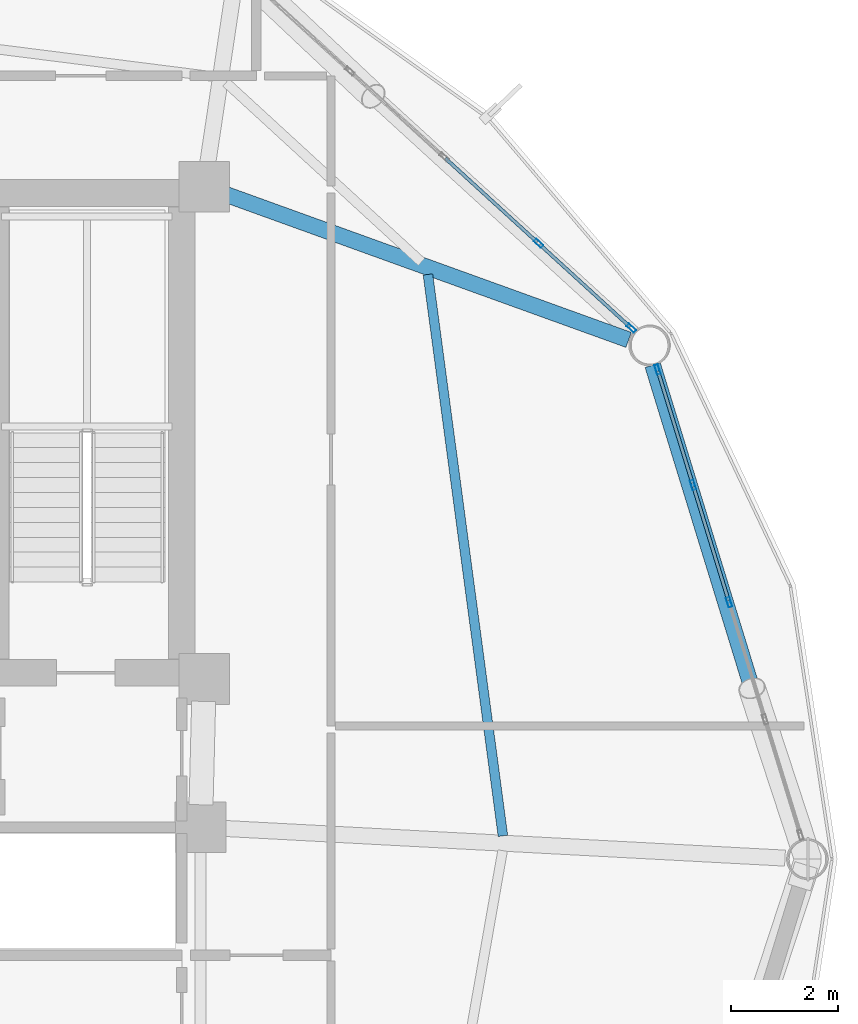
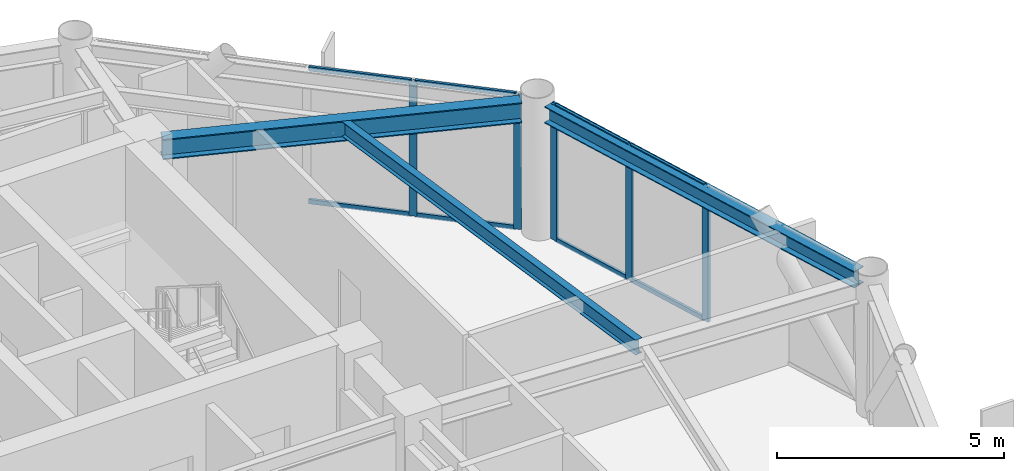
# One storey, part 14 of 25: 13 members, 3 beams, 2 elements without a shape of their own.
"""IFC4 building model written with IfcOpenShell, lengths in metres."""

import ifcopenshell
import ifcopenshell.guid

model = None  # the IFC model being written
_history = None  # IfcOwnerHistory: only IFC2X3 demands one
_inside = {}  # id of a spatial element -> (the spatial element, [elements in it])
_under = {}  # id of a project, library or spatial element -> (it, [spatial elements below it])
_declared = {}  # id of a project -> (the project, [libraries it declares])
_typed = {}  # id of a type object -> (the type object, [elements of that type])
_made_of = {}  # id of a material, layer set ... -> (it, [elements and type objects made of it])


def new_model(schema):
    """Start an empty IFC model of exactly this schema.

    Asked for "IFC4X3", IfcOpenShell would pick the latest addendum, in which some entities
    have other attributes; the version numbers below select the first issue.
    IFC2X3 requires an IfcOwnerHistory on every rooted entity: one is made here for all.
    """
    global model, _history
    if schema == "IFC4X3":
        model = ifcopenshell.file(schema_version=(4, 3, 0, 0))
    else:
        model = ifcopenshell.file(schema=schema)
    _inside.clear()
    _under.clear()
    _declared.clear()
    _typed.clear()
    _made_of.clear()
    _history = None
    if model.schema == "IFC2X3":
        org = make("IfcOrganization", Name="unknown")
        user = make(
            "IfcPersonAndOrganization",
            ThePerson=make("IfcPerson", FamilyName="unknown"),
            TheOrganization=org,
        )
        app = make(
            "IfcApplication",
            ApplicationDeveloper=org,
            Version="unknown",
            ApplicationFullName="unknown",
            ApplicationIdentifier="unknown",
        )
        _history = make(
            "IfcOwnerHistory",
            OwningUser=user,
            OwningApplication=app,
            ChangeAction="ADDED",
            CreationDate=0,
        )
    return model


def make(cls, **values):
    """One entity of the class cls with the attributes given. An attribute that is None is left unset."""
    return model.create_entity(
        cls, **{name: value for name, value in values.items() if value is not None}
    )


def rooted(cls, **values):
    """An entity with a GlobalId (a new one), such as an element, a storey or a relation."""
    return make(cls, GlobalId=ifcopenshell.guid.new(), OwnerHistory=_history, **values)


def si_unit(unit_type, name, prefix=None):
    """IfcSIUnit, for example si_unit("LENGTHUNIT", "METRE", prefix="MILLI")."""
    return make("IfcSIUnit", UnitType=unit_type, Prefix=prefix, Name=name)


def assignment(units):
    """IfcUnitAssignment: the units of a project."""
    return None if units is None else make("IfcUnitAssignment", Units=units)


def point(xyz):
    """IfcCartesianPoint."""
    return None if xyz is None else make("IfcCartesianPoint", Coordinates=xyz)


def direction(xyz):
    """IfcDirection."""
    return None if xyz is None else make("IfcDirection", DirectionRatios=xyz)


def frame(location, z_axis=None, x_axis=None):
    """IfcAxis2Placement3D, a coordinate frame: its origin and axes. An axis left out is left unset."""
    return make(
        "IfcAxis2Placement3D",
        Location=point(location),
        Axis=direction(z_axis),
        RefDirection=direction(x_axis),
    )


def frame_2d(location, x_axis=None):
    """IfcAxis2Placement2D, a coordinate frame in the plane: its origin and x axis."""
    return make(
        "IfcAxis2Placement2D", Location=point(location), RefDirection=direction(x_axis)
    )


def origin():
    """The frame at (0, 0, 0) with its axes left unset."""
    return frame((0.0, 0.0, 0.0))


def origin_2d():
    """The frame at (0, 0) in the plane with its x axis left unset."""
    return frame_2d((0.0, 0.0))


def place(relative_to, where):
    """IfcLocalPlacement: puts the frame where relative to a parent placement (None: the world)."""
    return make(
        "IfcLocalPlacement", PlacementRelTo=relative_to, RelativePlacement=where
    )


def context(
    kind, dimensions, precision=None, world=None, true_north=None, identifier=None
):
    """IfcGeometricRepresentationContext, for example the 3D "Model" context."""
    return make(
        "IfcGeometricRepresentationContext",
        ContextIdentifier=identifier,
        ContextType=kind,
        CoordinateSpaceDimension=dimensions,
        Precision=precision,
        WorldCoordinateSystem=world,
        TrueNorth=true_north,
    )


def subcontext(parent, identifier, kind, view, scale=None):
    """IfcGeometricRepresentationSubContext, for example "Body" below "Model"."""
    return make(
        "IfcGeometricRepresentationSubContext",
        ContextIdentifier=identifier,
        ContextType=kind,
        ParentContext=parent,
        TargetScale=scale,
        TargetView=view,
    )


def project(units=None, contexts=None):
    """IfcProject with its units and contexts."""
    return rooted(
        "IfcProject",
        Name="project",
        RepresentationContexts=contexts,
        UnitsInContext=assignment(units),
    )


def spatial(cls, under=None, at=None, **own):
    """A site, building, storey or space (cls), placed at a placement, below another one or the project."""
    s = rooted(cls, ObjectPlacement=at, **own)
    if under is not None:
        _under.setdefault(under.id(), (under, []))[1].append(s)
    return s


def profile(cls, at=None, kind="AREA", **sizes):
    """A parametric profile (cls). Its sizes go by their IFC names, for example OverallWidth=200.0."""
    return make(cls, ProfileType=kind, Position=at, **sizes)


def hollow_rectangle(**sizes):
    """IfcRectangleHollowProfileDef."""
    return profile("IfcRectangleHollowProfileDef", **sizes)


def i_section(**sizes):
    """IfcIShapeProfileDef."""
    return profile("IfcIShapeProfileDef", **sizes)


def extrude(swept, where, along, depth):
    """IfcExtrudedAreaSolid: the profile swept, set in the frame where, extruded along a direction by depth."""
    return make(
        "IfcExtrudedAreaSolid",
        SweptArea=swept,
        Position=where,
        ExtrudedDirection=direction(along),
        Depth=depth,
    )


def shape(context_of_items, identifier, shape_type, items):
    """IfcShapeRepresentation: the items that make up one representation, for example the "Body"."""
    return make(
        "IfcShapeRepresentation",
        ContextOfItems=context_of_items,
        RepresentationIdentifier=identifier,
        RepresentationType=shape_type,
        Items=items,
    )


def material(Name=None, Category=None):
    """IfcMaterial."""
    return make("IfcMaterial", Name=Name, Category=Category)


def layer(
    of_material, thickness, ventilated=None, Name=None, Category=None, Priority=None
):
    """IfcMaterialLayer: one layer of a wall or slab, of a material (None: an air gap)."""
    return make(
        "IfcMaterialLayer",
        Material=of_material,
        LayerThickness=thickness,
        IsVentilated=ventilated,
        Name=Name,
        Category=Category,
        Priority=Priority,
    )


def layer_set(layers, Name=None):
    """IfcMaterialLayerSet."""
    return make("IfcMaterialLayerSet", MaterialLayers=layers, LayerSetName=Name)


def material_profile(
    of_material, cross_section, Name=None, Category=None, Priority=None
):
    """IfcMaterialProfile: a cross section and its material."""
    return make(
        "IfcMaterialProfile",
        Name=Name,
        Material=of_material,
        Profile=cross_section,
        Priority=Priority,
        Category=Category,
    )


def profile_set(profiles, Name=None, composite=None):
    """IfcMaterialProfileSet."""
    return make(
        "IfcMaterialProfileSet",
        Name=Name,
        MaterialProfiles=profiles,
        CompositeProfile=composite,
    )


def made_of(thing, what):
    """Note that an element or type object is made of a material, layer set ...; save() writes the relation."""
    if what is not None:
        _made_of.setdefault(what.id(), (what, []))[1].append(thing)
    return thing


def type_object(cls, material=None, **own):
    """A type object (cls), such as IfcWallType, which elements share."""
    return made_of(rooted(cls, **own), material)


def element(
    cls,
    number,
    at=None,
    inside=None,
    cuts=None,
    type_object=None,
    material=None,
    context=None,
    identifier="Body",
    shape_type=None,
    held_by="IfcProductDefinitionShape",
    body=None,
    shapes=None,
    **own,
):
    """One element of the class cls, such as IfcWall. Its Tag is "e" and its number.

    at: its placement. inside: the storey or other place that contains it. cuts: it is an
    opening in that element (IfcRelVoidsElement). A single representation is given by context,
    identifier, shape_type and body (its items); several are given by shapes. held_by: the class
    of the entity that holds the representations. save() writes the other relations.
    """
    e = rooted(cls, Tag="e%d" % number, ObjectPlacement=at, **own)
    if body is not None:
        shapes = [shape(context, identifier, shape_type, body)]
    if shapes is not None:
        e.Representation = make(held_by, Representations=shapes)
    if inside is not None:
        _inside.setdefault(inside.id(), (inside, []))[1].append(e)
    if cuts is not None:
        rooted(
            "IfcRelVoidsElement", RelatingBuildingElement=cuts, RelatedOpeningElement=e
        )
    if type_object is not None:
        _typed.setdefault(type_object.id(), (type_object, []))[1].append(e)
    return made_of(e, material)


def aggregate(whole, parts):
    """IfcRelAggregates: a whole, such as a stair, and the parts it consists of."""
    return rooted("IfcRelAggregates", RelatingObject=whole, RelatedObjects=parts)


def save(model, path):
    """Write the relations noted so far, then the file.

    IfcRelAggregates (storeys below a building ...), IfcRelContainedInSpatialStructure (elements
    in a storey), IfcRelDefinesByType, IfcRelAssociatesMaterial and IfcRelDeclares: one each for
    every whole, place, type object, material and project.
    """
    for whole, parts in _under.values():
        aggregate(whole, parts)
    for where, things in _inside.values():
        rooted(
            "IfcRelContainedInSpatialStructure",
            RelatedElements=things,
            RelatingStructure=where,
        )
    for kind, things in _typed.values():
        rooted("IfcRelDefinesByType", RelatedObjects=things, RelatingType=kind)
    for what, things in _made_of.values():
        rooted("IfcRelAssociatesMaterial", RelatedObjects=things, RelatingMaterial=what)
    for by, libraries in _declared.values():
        rooted("IfcRelDeclares", RelatingContext=by, RelatedDefinitions=libraries)
    model.write(path)


model = new_model("IFC4")

# Units and contexts
model_context = context("Model", 3, precision=1e-05, world=origin(), true_north=direction((0.0, 1.0)))
body_context = subcontext(model_context, "Body", "Model", "MODEL_VIEW")
ifc_project = project(units=[si_unit("LENGTHUNIT", "METRE"), si_unit("AREAUNIT", "SQUARE_METRE"), si_unit("VOLUMEUNIT", "CUBIC_METRE"), si_unit("PLANEANGLEUNIT", "RADIAN"), si_unit("MASSUNIT", "GRAM", prefix="KILO")], contexts=[model_context])

# Site, building, storey
site_placement = place(None, origin())
site = spatial("IfcSite", under=ifc_project, at=site_placement, CompositionType="ELEMENT")
building_placement = place(site_placement, origin())
building = spatial("IfcBuilding", under=site, at=building_placement, Name="Varnakorn Sky Granary", CompositionType="ELEMENT")
storey_placement = place(building_placement, frame((0.0, 0.0, 122.699951171875)))
storey = spatial("IfcBuildingStorey", under=building, at=storey_placement, Name="L30", CompositionType="ELEMENT", Elevation=122.699951171875)

# Beams
ifc_material_1 = material(Name="Steel S355JR", Category="steel")
ifc_material_profile_1 = material_profile(ifc_material_1, i_section(OverallWidth=0.300048828125, OverallDepth=0.550048828125, WebThickness=0.014892578125, FlangeThickness=0.029052734375, at=origin_2d()), Name="HE 550 B")
ifc_profile_set_1 = profile_set([ifc_material_profile_1], Name="Steel S355JR")
beam_type_1 = type_object("IfcBeamType", Name="BM-RAD-Z3", PredefinedType="BEAM", material=ifc_profile_set_1)
beam_1_placement = place(storey_placement, frame((8.81494140625, 12.477294921875, 3.364990234375), z_axis=(0.940545823037, -0.339666829067, 0.0), x_axis=(0.339666829067, 0.940545823037, 0.0)))
element("IfcBeam", 1, at=beam_1_placement, inside=storey, type_object=beam_type_1, Name="Radial Floor Girder RG02 L30", PredefinedType="BEAM", context=body_context, shape_type="SweptSolid", body=[
    extrude(i_section(OverallWidth=0.300048828125, OverallDepth=0.550048828125, WebThickness=0.014892578125, FlangeThickness=0.029052734375, at=origin_2d()), origin(), (0.0, 0.0, 1.0), 8.04736328125),
])
ifc_material_profile_2 = material_profile(ifc_material_1, i_section(OverallWidth=0.179931640625, OverallDepth=0.39990234375, WebThickness=0.008544921875, FlangeThickness=0.013427734375, at=origin_2d()), Name="IPE 400")
ifc_profile_set_2 = profile_set([ifc_material_profile_2], Name="Steel S355JR")
beam_type_2 = type_object("IfcBeamType", Name="BM-SEC-Z3", PredefinedType="BEAM", material=ifc_profile_set_2)
beam_2_placement = place(storey_placement, frame((14.02490234375, 0.437255859375, 3.43994140625), z_axis=(-0.132384905514, 0.991198384176, 0.0), x_axis=(-0.991198384176, -0.132384905514, 0.0)))
element("IfcBeam", 2, at=beam_2_placement, inside=storey, type_object=beam_type_2, Name="Secondary Floor Chord Beam MSB01 L30", PredefinedType="BEAM", context=body_context, shape_type="SweptSolid", body=[
    extrude(i_section(OverallWidth=0.179931640625, OverallDepth=0.39990234375, WebThickness=0.008544921875, FlangeThickness=0.013427734375, at=origin_2d()), origin(), (0.0, 0.0, 1.0), 10.6279296875),
])
ifc_material_profile_3 = material_profile(ifc_material_1, i_section(OverallWidth=0.300048828125, OverallDepth=0.449951171875, WebThickness=0.013916015625, FlangeThickness=0.02587890625, at=origin_2d()), Name="HE 450 B")
ifc_profile_set_3 = profile_set([ifc_material_profile_3], Name="Steel S355JR")
beam_type_3 = type_object("IfcBeamType", Name="BM-SPD-Z3", PredefinedType="SPANDREL", material=ifc_profile_set_3)
beam_3_placement = place(storey_placement, frame((19.575439453125, 0.349853515625, 3.4150390625), z_axis=(-0.293618811505, 0.955922587624, 0.0), x_axis=(-0.955922587624, -0.293618811505, 0.0)))
element("IfcBeam", 3, at=beam_3_placement, inside=storey, type_object=beam_type_3, Name="Perimeter Spandrel Ring Beam RB01 L30", PredefinedType="SPANDREL", context=body_context, shape_type="SweptSolid", body=[
    extrude(i_section(OverallWidth=0.300048828125, OverallDepth=0.449951171875, WebThickness=0.013916015625, FlangeThickness=0.02587890625, at=origin_2d()), origin(), (0.0, 0.0, 1.0), 9.3310546875),
])

# Curtain wall, members
ifc_material_2 = material(Name="Anodised Bronze Aluminium Alloy 6063-T6", Category="aluminium")
ifc_layer = layer(ifc_material_2, 0.179931640625, Name="Anodised Bronze Aluminium Alloy 6063-T6")
ifc_layer_set = layer_set([ifc_layer], Name="Anodised Bronze Aluminium Alloy 6063-T6")
curtain_wall_type = type_object("IfcCurtainWallType", Name="CW-FRM-2", PredefinedType="USERDEFINED", material=ifc_layer_set)
curtain_wall_1_placement = place(storey_placement, origin())
curtain_wall_1 = element("IfcCurtainWall", 4, at=curtain_wall_1_placement, inside=storey, type_object=curtain_wall_type, Name="Unitised Curtain Wall CW4 CW-L30-B01", ObjectType="CURTAIN WALL", PredefinedType="USERDEFINED")
ifc_material_profile_4 = material_profile(ifc_material_2, hollow_rectangle(XDim=0.070068359375, YDim=0.18505859375, WallThickness=0.00390625, at=origin_2d()), Name="ALU MULL 70x185")
ifc_profile_set_4 = profile_set([ifc_material_profile_4], Name="Anodised Bronze Aluminium Alloy 6063-T6")
member_type_1 = type_object("IfcMemberType", Name="CW-FRM-2-MULL", PredefinedType="MULLION", material=ifc_profile_set_4)
member_1_placement = place(storey_placement, frame((16.926025390625, 9.18798828125, 0.0), z_axis=(0.0, 0.0, 1.0), x_axis=(0.955870322198, 0.293788915961, 0.0)))
member_1 = element("IfcMember", 5, at=member_1_placement, type_object=member_type_1, Name="CW4 mullion 1", PredefinedType="MULLION", context=body_context, shape_type="SweptSolid", body=[
    extrude(hollow_rectangle(XDim=0.070068359375, YDim=0.18505859375, WallThickness=0.00390625, at=origin_2d()), origin(), (0.0, 0.0, 1.0), 3.64013671875),
])
member_2_placement = place(storey_placement, frame((17.591796875, 7.021484375, 0.0), z_axis=(0.0, 0.0, 1.0), x_axis=(0.955870322198, 0.293788915961, 0.0)))
member_2 = element("IfcMember", 6, at=member_2_placement, type_object=member_type_1, Name="CW4 mullion 2", PredefinedType="MULLION", context=body_context, shape_type="SweptSolid", body=[
    extrude(hollow_rectangle(XDim=0.070068359375, YDim=0.18505859375, WallThickness=0.00390625, at=origin_2d()), origin(), (0.0, 0.0, 1.0), 3.64013671875),
])
member_3_placement = place(storey_placement, frame((18.26806640625, 4.821533203125, 0.0), z_axis=(0.0, 0.0, 1.0), x_axis=(0.955870322198, 0.293788915961, 0.0)))
member_3 = element("IfcMember", 7, at=member_3_placement, type_object=member_type_1, Name="CW4 mullion 3", PredefinedType="MULLION", context=body_context, shape_type="SweptSolid", body=[
    extrude(hollow_rectangle(XDim=0.070068359375, YDim=0.18505859375, WallThickness=0.00390625, at=origin_2d()), origin(), (0.0, 0.0, 1.0), 3.64013671875),
])

curtain_wall_2_placement = place(storey_placement, origin())
curtain_wall_2 = element("IfcCurtainWall", 8, at=curtain_wall_2_placement, inside=storey, type_object=curtain_wall_type, Name="Unitised Curtain Wall CW4 CW-L30-B02", ObjectType="CURTAIN WALL", PredefinedType="USERDEFINED")
member_4_placement = place(storey_placement, frame((14.691162109375, 11.556396484375, 0.0), z_axis=(0.0, 0.0, 1.0), x_axis=(0.674407385715, 0.738359450466, 0.0)))
member_4 = element("IfcMember", 9, at=member_4_placement, type_object=member_type_1, Name="CW4 mullion 4", PredefinedType="MULLION", context=body_context, shape_type="SweptSolid", body=[
    extrude(hollow_rectangle(XDim=0.070068359375, YDim=0.18505859375, WallThickness=0.00390625, at=origin_2d()), origin(), (0.0, 0.0, 1.0), 3.64013671875),
])
member_5_placement = place(storey_placement, frame((16.4345703125, 9.964111328125, 0.0), z_axis=(0.0, 0.0, 1.0), x_axis=(0.674407385715, 0.738359450466, 0.0)))
member_5 = element("IfcMember", 10, at=member_5_placement, type_object=member_type_1, Name="CW4 mullion 5", PredefinedType="MULLION", context=body_context, shape_type="SweptSolid", body=[
    extrude(hollow_rectangle(XDim=0.070068359375, YDim=0.18505859375, WallThickness=0.00390625, at=origin_2d()), origin(), (0.0, 0.0, 1.0), 3.64013671875),
])

# Member
ifc_material_profile_5 = material_profile(ifc_material_2, hollow_rectangle(XDim=0.06494140625, YDim=0.1201171875, WallThickness=0.00341796875, at=origin_2d()), Name="ALU TRAN 65x120")
ifc_profile_set_5 = profile_set([ifc_material_profile_5], Name="Anodised Bronze Aluminium Alloy 6063-T6")
member_type_2 = type_object("IfcMemberType", Name="CW-FRM-2-TRAN", PredefinedType="USERDEFINED", material=ifc_profile_set_5)
member_6_placement = place(storey_placement, frame((16.936279296875, 9.154541015625, 0.032470703125), z_axis=(0.293765604361, -0.95587748676, 0.0), x_axis=(0.95587748676, 0.293765604361, 0.0)))
member_6 = element("IfcMember", 11, at=member_6_placement, type_object=member_type_2, Name="CW4 transom 1.1", ObjectType="TRANSOM", PredefinedType="USERDEFINED", context=body_context, shape_type="SweptSolid", body=[
    extrude(hollow_rectangle(XDim=0.06494140625, YDim=0.1201171875, WallThickness=0.00341796875, at=origin_2d()), origin(), (0.0, 0.0, 1.0), 2.196533203125),
])

member_7_placement = place(storey_placement, frame((16.936279296875, 9.154541015625, 3.607666015625), z_axis=(0.293765604361, -0.95587748676, 0.0), x_axis=(0.95587748676, 0.293765604361, 0.0)))
member_7 = element("IfcMember", 12, at=member_7_placement, type_object=member_type_2, Name="CW4 transom 1.2", ObjectType="TRANSOM", PredefinedType="USERDEFINED", context=body_context, shape_type="SweptSolid", body=[
    extrude(hollow_rectangle(XDim=0.06494140625, YDim=0.1201171875, WallThickness=0.00341796875, at=origin_2d()), origin(), (0.0, 0.0, 1.0), 2.196533203125),
])

member_8_placement = place(storey_placement, frame((17.60205078125, 6.988037109375, 0.032470703125), z_axis=(0.293855207905, -0.955849944702, 0.0), x_axis=(0.955849944702, 0.293855207905, 0.0)))
member_8 = element("IfcMember", 13, at=member_8_placement, type_object=member_type_2, Name="CW4 transom 2.1", ObjectType="TRANSOM", PredefinedType="USERDEFINED", context=body_context, shape_type="SweptSolid", body=[
    extrude(hollow_rectangle(XDim=0.06494140625, YDim=0.1201171875, WallThickness=0.00341796875, at=origin_2d()), origin(), (0.0, 0.0, 1.0), 2.231689453125),
])

member_9_placement = place(storey_placement, frame((17.60205078125, 6.988037109375, 3.607666015625), z_axis=(0.293855207905, -0.955849944702, 0.0), x_axis=(0.955849944702, 0.293855207905, 0.0)))
member_9 = element("IfcMember", 14, at=member_9_placement, type_object=member_type_2, Name="CW4 transom 2.2", ObjectType="TRANSOM", PredefinedType="USERDEFINED", context=body_context, shape_type="SweptSolid", body=[
    extrude(hollow_rectangle(XDim=0.06494140625, YDim=0.1201171875, WallThickness=0.00341796875, at=origin_2d()), origin(), (0.0, 0.0, 1.0), 2.231689453125),
])

aggregate(curtain_wall_1, [member_1, member_2, member_3, member_6, member_7, member_8, member_9])

member_10_placement = place(storey_placement, frame((12.94775390625, 13.14892578125, 0.032470703125), z_axis=(0.738342330442, -0.674426128703, 0.0), x_axis=(0.674426128703, 0.738342330442, 0.0)))
member_10 = element("IfcMember", 15, at=member_10_placement, type_object=member_type_2, Name="CW4 transom 3.1", ObjectType="TRANSOM", PredefinedType="USERDEFINED", context=body_context, shape_type="SweptSolid", body=[
    extrude(hollow_rectangle(XDim=0.06494140625, YDim=0.1201171875, WallThickness=0.00341796875, at=origin_2d()), origin(), (0.0, 0.0, 1.0), 2.326171875),
])

member_11_placement = place(storey_placement, frame((12.94775390625, 13.14892578125, 3.607666015625), z_axis=(0.738342330442, -0.674426128703, 0.0), x_axis=(0.674426128703, 0.738342330442, 0.0)))
member_11 = element("IfcMember", 16, at=member_11_placement, type_object=member_type_2, Name="CW4 transom 3.2", ObjectType="TRANSOM", PredefinedType="USERDEFINED", context=body_context, shape_type="SweptSolid", body=[
    extrude(hollow_rectangle(XDim=0.06494140625, YDim=0.1201171875, WallThickness=0.00341796875, at=origin_2d()), origin(), (0.0, 0.0, 1.0), 2.326171875),
])

member_12_placement = place(storey_placement, frame((14.717041015625, 11.532958984375, 0.032470703125), z_axis=(0.738347081543, -0.674420927297, 0.0), x_axis=(0.674420927297, 0.738347081543, 0.0)))
member_12 = element("IfcMember", 17, at=member_12_placement, type_object=member_type_2, Name="CW4 transom 4.1", ObjectType="TRANSOM", PredefinedType="USERDEFINED", context=body_context, shape_type="SweptSolid", body=[
    extrude(hollow_rectangle(XDim=0.06494140625, YDim=0.1201171875, WallThickness=0.00341796875, at=origin_2d()), origin(), (0.0, 0.0, 1.0), 2.29150390625),
])

member_13_placement = place(storey_placement, frame((14.717041015625, 11.532958984375, 3.607666015625), z_axis=(0.738347081543, -0.674420927297, 0.0), x_axis=(0.674420927297, 0.738347081543, 0.0)))
member_13 = element("IfcMember", 18, at=member_13_placement, type_object=member_type_2, Name="CW4 transom 4.2", ObjectType="TRANSOM", PredefinedType="USERDEFINED", context=body_context, shape_type="SweptSolid", body=[
    extrude(hollow_rectangle(XDim=0.06494140625, YDim=0.1201171875, WallThickness=0.00341796875, at=origin_2d()), origin(), (0.0, 0.0, 1.0), 2.29150390625),
])

aggregate(curtain_wall_2, [member_4, member_5, member_10, member_11, member_12, member_13])

save(model, "model.ifc")
